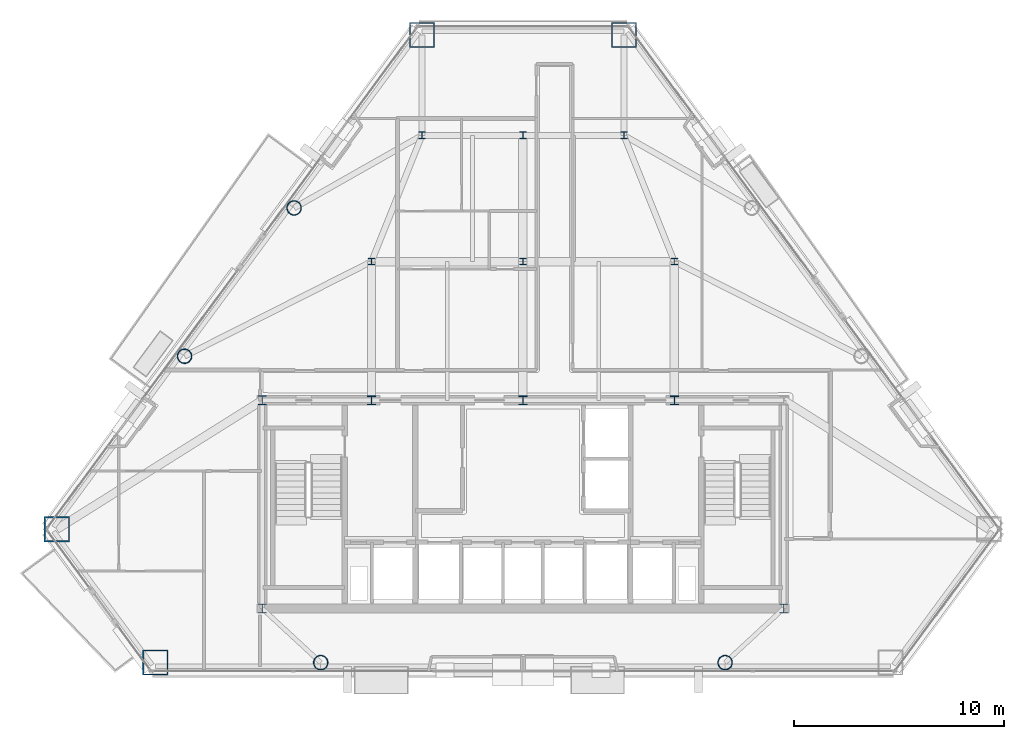
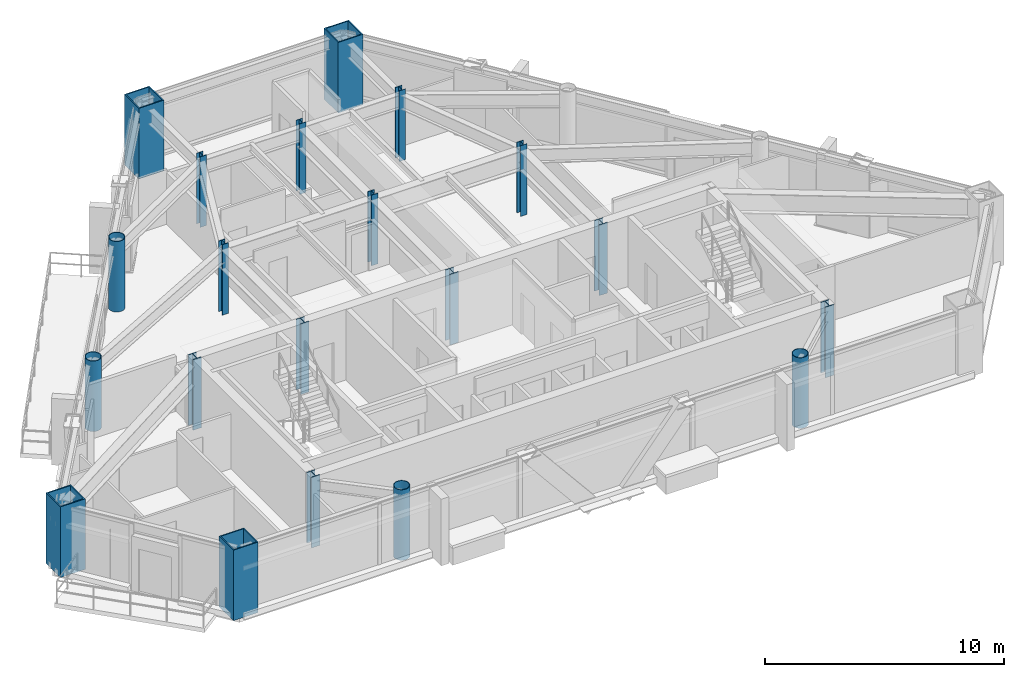
# One storey, part 1 of 11: 20 columns.
"""IFC4 building model written with IfcOpenShell, lengths in metres."""

from ifc_helpers import new_model, si_unit, direction, frame, origin, origin_2d, place, context, subcontext, project, spatial, hollow_rectangle, hollow_circle, i_section, extrude, material, material_profile, profile_set, type_object, element, save


model = new_model("IFC4")

# Units and contexts
model_context = context("Model", 3, precision=1e-05, world=origin(), true_north=direction((0.0, 1.0)))
body_context = subcontext(model_context, "Body", "Model", "MODEL_VIEW")
ifc_project = project(units=[si_unit("LENGTHUNIT", "METRE"), si_unit("AREAUNIT", "SQUARE_METRE"), si_unit("VOLUMEUNIT", "CUBIC_METRE"), si_unit("PLANEANGLEUNIT", "RADIAN"), si_unit("MASSUNIT", "GRAM", prefix="KILO")], contexts=[model_context])

# Site, building, storey
site_placement = place(None, origin())
site = spatial("IfcSite", under=ifc_project, at=site_placement, CompositionType="ELEMENT")
building_placement = place(site_placement, origin())
building = spatial("IfcBuilding", under=site, at=building_placement, Name="Talgorran Terracotta Tower", CompositionType="ELEMENT")
storey_placement = place(building_placement, frame((0.0, 0.0, 150.89990234375)))
storey = spatial("IfcBuildingStorey", under=building, at=storey_placement, Name="L39", CompositionType="ELEMENT", Elevation=150.89990234375)

# Columns
ifc_material_1 = material(Name="Steel S355 (300PLUS)", Category="steel")
ifc_material_profile_1 = material_profile(ifc_material_1, i_section(OverallWidth=0.311279296875, OverallDepth=0.3271484375, WebThickness=0.015625, FlangeThickness=0.02490234375, at=origin_2d()), Name="310UC158")
ifc_profile_set_1 = profile_set([ifc_material_profile_1], Name="Steel S355 (300PLUS)")
column_type_1 = type_object("IfcColumnType", Name="COL_310UC158", PredefinedType="COLUMN", material=ifc_profile_set_1)
for number, where, z_axis, x_axis, name in (
    (1, (-7.199951171875, 2.39990234375, 0.0), (0.0, 0.0, 1.0), (1.0, 0.0, 0.0), "L39 Interior Gravity Column IC1"),
    (2, (0.0, 2.39990234375, 0.0), (0.0, 0.0, 1.0), (1.0, 0.0, 0.0), "L39 Interior Gravity Column IC2"),
    (3, (7.199951171875, 2.39990234375, 0.0), (0.0, 0.0, 1.0), (1.0, 0.0, 0.0), "L39 Interior Gravity Column IC3"),
    (4, (-4.800048828125, 8.39990234375, 0.0), (0.0, 0.0, 1.0), (1.0, 0.0, 0.0), "L39 Interior Gravity Column IC4"),
    (5, (0.0, 8.39990234375, 0.0), (0.0, 0.0, 1.0), (1.0, 0.0, 0.0), "L39 Interior Gravity Column IC5"),
    (6, (4.800048828125, 8.39990234375, 0.0), (0.0, 0.0, 1.0), (1.0, 0.0, 0.0), "L39 Interior Gravity Column IC6"),
):
    element("IfcColumn", number, at=place(storey_placement, frame(where, z_axis=z_axis, x_axis=x_axis)), inside=storey, type_object=column_type_1, Name=name, PredefinedType="COLUMN", context=body_context, shape_type="SweptSolid", body=[
        extrude(i_section(OverallWidth=0.311279296875, OverallDepth=0.3271484375, WebThickness=0.015625, FlangeThickness=0.02490234375, at=origin_2d()), origin(), (0.0, 0.0, 1.0), 3.60009765625),
    ])
ifc_material_profile_2 = material_profile(ifc_material_1, i_section(OverallWidth=0.39990234375, OverallDepth=0.43994140625, WebThickness=0.028076171875, FlangeThickness=0.0400390625, at=origin_2d()), Name="400WC328")
ifc_profile_set_2 = profile_set([ifc_material_profile_2], Name="Steel S355 (300PLUS)")
column_type_2 = type_object("IfcColumnType", Name="COL_400WC328", PredefinedType="COLUMN", material=ifc_profile_set_2)
for number, where, z_axis, x_axis, name in (
    (7, (-12.39990234375, -14.10009765625, 0.0), (0.0, 0.0, 1.0), (1.0, 0.0, 0.0), "L39 Core Boundary Column CC1"),
    (8, (12.39990234375, -14.10009765625, 0.0), (0.0, 0.0, 1.0), (1.0, 0.0, 0.0), "L39 Core Boundary Column CC2"),
    (9, (-12.39990234375, -4.199951171875, 0.0), (0.0, 0.0, 1.0), (1.0, 0.0, 0.0), "L39 Core Boundary Column CC4"),
):
    element("IfcColumn", number, at=place(storey_placement, frame(where, z_axis=z_axis, x_axis=x_axis)), inside=storey, type_object=column_type_2, Name=name, PredefinedType="COLUMN", context=body_context, shape_type="SweptSolid", body=[
        extrude(i_section(OverallWidth=0.39990234375, OverallDepth=0.43994140625, WebThickness=0.028076171875, FlangeThickness=0.0400390625, at=origin_2d()), origin(), (0.0, 0.0, 1.0), 3.60009765625),
    ])
ifc_material_2 = material(Name="Steel Grade 350 (350L0)", Category="steel")
ifc_material_profile_3 = material_profile(ifc_material_2, hollow_rectangle(XDim=1.199951171875, YDim=1.199951171875, WallThickness=0.054931640625, at=origin_2d()), Name="CFT1200X1200X55")
ifc_profile_set_3 = profile_set([ifc_material_profile_3], Name="Steel Grade 350 (350L0)")
column_type_3 = type_object("IfcColumnType", Name="COL_CFT_1200", PredefinedType="COLUMN", material=ifc_profile_set_3)
for number, where, z_axis, x_axis, name in (
    (10, (-22.168212890625, -10.331298828125, 0.0), (0.0, 0.0, 1.0), (1.0, 0.0, 0.0), "L39 Corner CFT Mega-Column MC1"),
    (11, (-17.483642578125, -16.67431640625, 0.0), (0.0, 0.0, 1.0), (1.0, 0.0, 0.0), "L39 Corner CFT Mega-Column MC2"),
    (12, (4.80615234375, 13.177978515625, 0.0), (0.0, 0.0, 1.0), (1.0, 0.0, 0.0), "L39 Corner CFT Mega-Column MC5"),
    (13, (-4.80615234375, 13.177978515625, 0.0), (0.0, 0.0, 1.0), (1.0, 0.0, 0.0), "L39 Corner CFT Mega-Column MC6"),
):
    element("IfcColumn", number, at=place(storey_placement, frame(where, z_axis=z_axis, x_axis=x_axis)), inside=storey, type_object=column_type_3, Name=name, PredefinedType="COLUMN", context=body_context, shape_type="SweptSolid", body=[
        extrude(hollow_rectangle(XDim=1.199951171875, YDim=1.199951171875, WallThickness=0.054931640625, at=origin_2d()), origin(), (0.0, 0.0, 1.0), 3.60009765625),
    ])
ifc_material_profile_4 = material_profile(ifc_material_2, hollow_circle(Radius=0.35009765625, WallThickness=0.030029296875, at=origin_2d()), Name="CHS700X30")
ifc_profile_set_4 = profile_set([ifc_material_profile_4], Name="Steel Grade 350 (350L0)")
column_type_4 = type_object("IfcColumnType", Name="COL_CHS_700", PredefinedType="COLUMN", material=ifc_profile_set_4)
for number, where, z_axis, x_axis, name in (
    (14, (-9.615966796875, -16.67431640625, 0.0), (0.0, 0.0, 1.0), (1.0, 0.0, 0.0), "L39 Facet Perimeter Column FC1"),
    (15, (9.615966796875, -16.67431640625, 0.0), (0.0, 0.0, 1.0), (1.0, 0.0, 0.0), "L39 Facet Perimeter Column FC2"),
    (16, (-10.8828125, 4.94970703125, 0.0), (0.0, 0.0, 1.0), (1.0, 0.0, 0.0), "L39 Facet Perimeter Column FC5"),
    (17, (-16.091552734375, -2.10302734375, 0.0), (0.0, 0.0, 1.0), (1.0, 0.0, 0.0), "L39 Facet Perimeter Column FC6"),
):
    element("IfcColumn", number, at=place(storey_placement, frame(where, z_axis=z_axis, x_axis=x_axis)), inside=storey, type_object=column_type_4, Name=name, PredefinedType="COLUMN", context=body_context, shape_type="SweptSolid", body=[
        extrude(hollow_circle(Radius=0.35009765625, WallThickness=0.030029296875, at=origin_2d()), origin(), (0.0, 0.0, 1.0), 3.60009765625),
    ])
ifc_material_profile_5 = material_profile(ifc_material_1, i_section(OverallWidth=0.405029296875, OverallDepth=0.4140625, WebThickness=0.02197265625, FlangeThickness=0.031982421875, at=origin_2d()), Name="400WC270")
ifc_profile_set_5 = profile_set([ifc_material_profile_5], Name="Steel S355 (300PLUS)")
column_type_5 = type_object("IfcColumnType", Name="COL_PIL_400WC270", PredefinedType="PILASTER", material=ifc_profile_set_5)
for number, where, z_axis, x_axis, name in (
    (18, (-7.199951171875, -4.199951171875, 0.0), (0.0, 0.0, 1.0), (1.0, 0.0, 0.0), "L39 Core Shear Pilaster CP1"),
    (19, (0.0, -4.199951171875, 0.0), (0.0, 0.0, 1.0), (1.0, 0.0, 0.0), "L39 Core Shear Pilaster CP2"),
    (20, (7.199951171875, -4.199951171875, 0.0), (0.0, 0.0, 1.0), (1.0, 0.0, 0.0), "L39 Core Shear Pilaster CP3"),
):
    element("IfcColumn", number, at=place(storey_placement, frame(where, z_axis=z_axis, x_axis=x_axis)), inside=storey, type_object=column_type_5, Name=name, PredefinedType="PILASTER", context=body_context, shape_type="SweptSolid", body=[
        extrude(i_section(OverallWidth=0.405029296875, OverallDepth=0.4140625, WebThickness=0.02197265625, FlangeThickness=0.031982421875, at=origin_2d()), origin(), (0.0, 0.0, 1.0), 3.60009765625),
    ])

save(model, "model.ifc")
